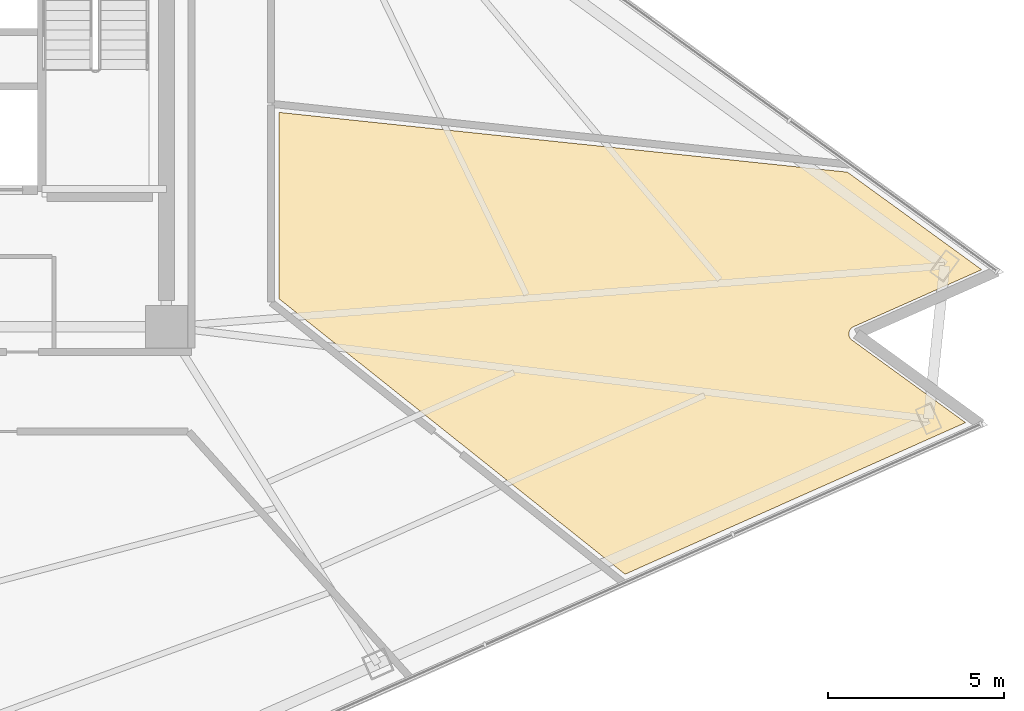
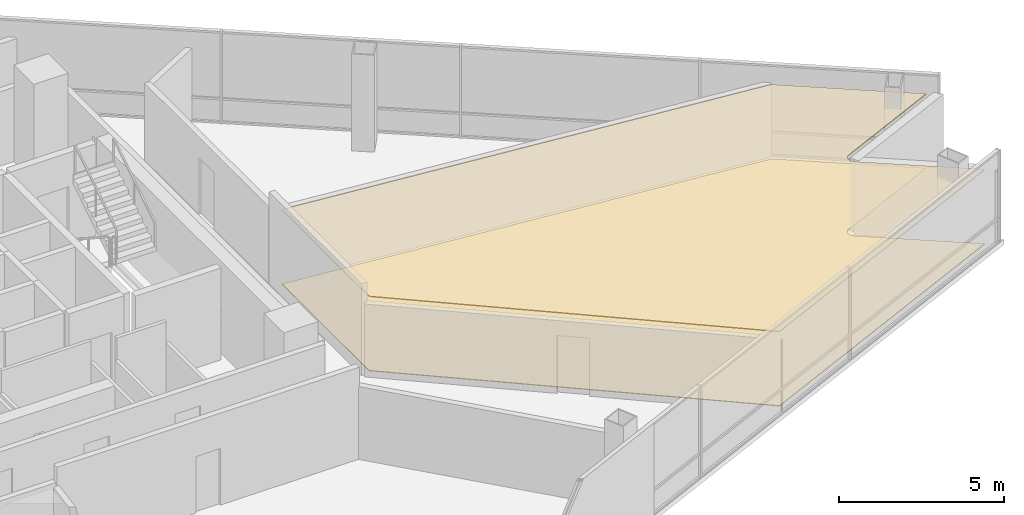
# One storey, part 16 of 19: 2 coverings.
"""IFC4 building model written with IfcOpenShell, lengths in metres."""

from ifc_helpers import new_model, si_unit, direction, frame, origin, place, context, subcontext, project, spatial, polyline, outline, extrude, material, layer, layer_set, type_object, element, save


model = new_model("IFC4")

# Units and contexts
model_context = context("Model", 3, precision=1e-05, world=origin(), true_north=direction((0.0, 1.0)))
body_context = subcontext(model_context, "Body", "Model", "MODEL_VIEW")
ifc_project = project(units=[si_unit("LENGTHUNIT", "METRE"), si_unit("AREAUNIT", "SQUARE_METRE"), si_unit("VOLUMEUNIT", "CUBIC_METRE"), si_unit("PLANEANGLEUNIT", "RADIAN"), si_unit("MASSUNIT", "GRAM", prefix="KILO")], contexts=[model_context])

# Site, building, storey
site_placement = place(None, origin())
site = spatial("IfcSite", under=ifc_project, at=site_placement, CompositionType="ELEMENT")
building_placement = place(site_placement, origin())
building = spatial("IfcBuilding", under=site, at=building_placement, Name="Tharavind Bronze Gate", CompositionType="ELEMENT")
storey_placement = place(building_placement, frame((0.0, 0.0, 126.85009765625)))
storey = spatial("IfcBuildingStorey", under=building, at=storey_placement, Name="L32", CompositionType="ELEMENT", Elevation=126.85009765625)

# Coverings
ifc_material_1 = material(Name="Engineered Oak & Carpet Tile", Category="wood")
ifc_layer_1 = layer(ifc_material_1, 0.02490234375)
ifc_layer_set_1 = layer_set([ifc_layer_1], Name="Engineered Oak & Carpet Tile")
covering_type_1 = type_object("IfcCoveringType", Name="ENGINEERED TIMBER FLOORING", PredefinedType="FLOORING", material=ifc_layer_set_1)
covering_1_placement = place(storey_placement, origin())
element("IfcCovering", 1, at=covering_1_placement, inside=storey, type_object=covering_type_1, Name="L32-RM-07 floor finish", PredefinedType="FLOORING", context=body_context, shape_type="SweptSolid", body=[
    extrude(outline(polyline([(12.10009765625, -6.79736328125), (21.9365234375, -14.62744140625), (21.94482421875, -14.634521484375), (21.9453125, -14.634765625), (21.96044921875, -14.6494140625), (31.662109375, -10.329833984375), (28.427490234375, -7.979736328125), (28.418701171875, -7.97314453125), (28.418212890625, -7.97265625), (28.402099609375, -7.9580078125), (28.38720703125, -7.94189453125), (28.3740234375, -7.92431640625), (28.362548828125, -7.90576171875), (28.353271484375, -7.8857421875), (28.345703125, -7.865234375), (28.340576171875, -7.843994140625), (28.33740234375, -7.822265625), (28.33642578125, -7.80029296875), (28.337646484375, -7.7783203125), (28.3408203125, -7.756591796875), (28.346435546875, -7.735595703125), (28.35400390625, -7.71484375), (28.36376953125, -7.6953125), (28.375244140625, -7.676513671875), (28.388427734375, -7.6591796875), (28.403564453125, -7.643310546875), (28.419921875, -7.628662109375), (28.43798828125, -7.615966796875), (28.45703125, -7.60498046875), (28.45751953125, -7.60498046875), (28.46728515625, -7.60009765625), (32.1201171875, -5.973876953125), (28.29541015625, -3.1953125), (12.10009765625, -1.492919921875), (12.10009765625, -6.79736328125)])), origin(), (0.0, 0.0, 1.0), 0.02490234375),
])
ifc_material_2 = material(Name="Acoustic Gypsum Board", Category="gypsum")
ifc_layer_2 = layer(ifc_material_2, 0.030029296875)
ifc_layer_set_2 = layer_set([ifc_layer_2], Name="Acoustic Gypsum Board")
covering_type_2 = type_object("IfcCoveringType", Name="GYPSUM SUSPENDED CEILING", PredefinedType="CEILING", material=ifc_layer_set_2)
covering_2_placement = place(storey_placement, frame((0.0, 0.0, 2.75)))
element("IfcCovering", 2, at=covering_2_placement, inside=storey, type_object=covering_type_2, Name="L32-RM-07 suspended ceiling", PredefinedType="CEILING", context=body_context, shape_type="SweptSolid", body=[
    extrude(outline(polyline([(12.10009765625, -6.79736328125), (21.9365234375, -14.62744140625), (21.94482421875, -14.634521484375), (21.9453125, -14.634765625), (21.96044921875, -14.6494140625), (31.662109375, -10.329833984375), (28.427490234375, -7.979736328125), (28.418701171875, -7.97314453125), (28.418212890625, -7.97265625), (28.402099609375, -7.9580078125), (28.38720703125, -7.94189453125), (28.3740234375, -7.92431640625), (28.362548828125, -7.90576171875), (28.353271484375, -7.8857421875), (28.345703125, -7.865234375), (28.340576171875, -7.843994140625), (28.33740234375, -7.822265625), (28.33642578125, -7.80029296875), (28.337646484375, -7.7783203125), (28.3408203125, -7.756591796875), (28.346435546875, -7.735595703125), (28.35400390625, -7.71484375), (28.36376953125, -7.6953125), (28.375244140625, -7.676513671875), (28.388427734375, -7.6591796875), (28.403564453125, -7.643310546875), (28.419921875, -7.628662109375), (28.43798828125, -7.615966796875), (28.45703125, -7.60498046875), (28.45751953125, -7.60498046875), (28.46728515625, -7.60009765625), (32.1201171875, -5.973876953125), (28.29541015625, -3.1953125), (12.10009765625, -1.492919921875), (12.10009765625, -6.79736328125)])), origin(), (0.0, 0.0, 1.0), 0.034912109375),
])

save(model, "model.ifc")
